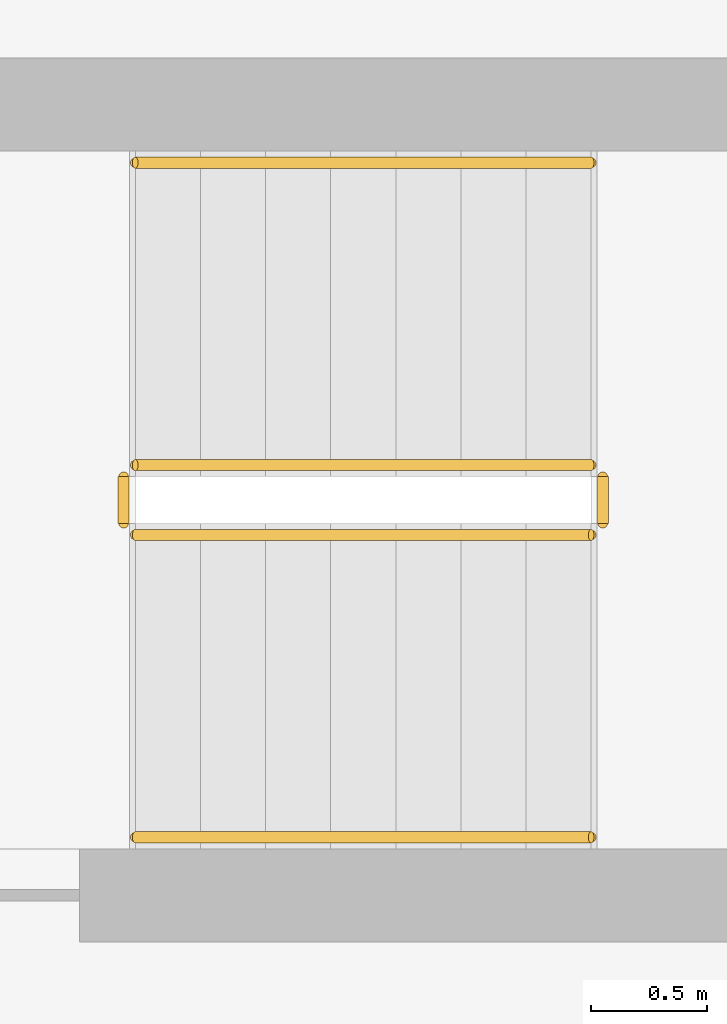
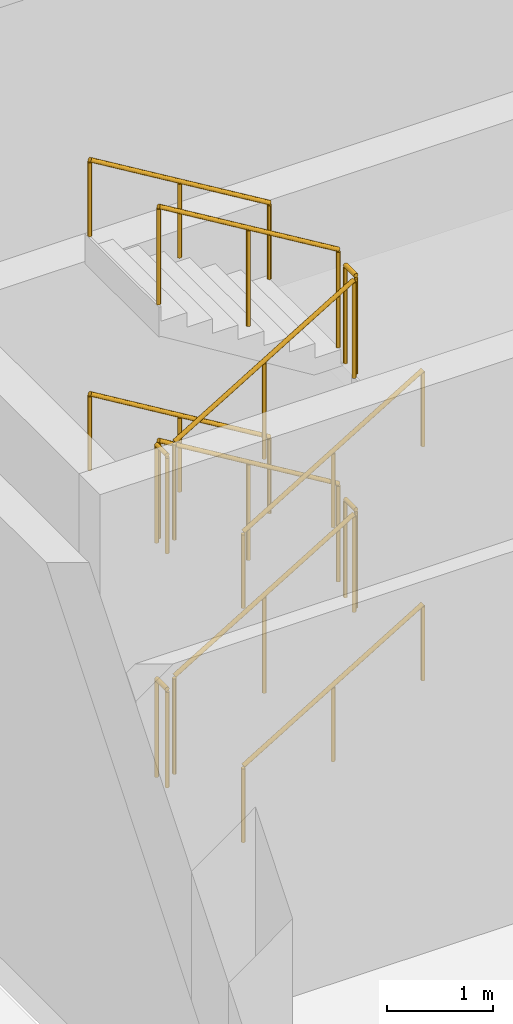
# One storey, part 34 of 36: 12 railings.
"""IFC4 building model written with IfcOpenShell, lengths in metres."""

from ifc_helpers import new_model, si_unit, direction, frame, origin, origin_2d, place, context, subcontext, project, spatial, circle, extrude, material, type_object, element, save


model = new_model("IFC4")

# Units and contexts
model_context = context("Model", 3, precision=1e-05, world=origin(), true_north=direction((0.0, 1.0)))
body_context = subcontext(model_context, "Body", "Model", "MODEL_VIEW")
ifc_project = project(units=[si_unit("LENGTHUNIT", "METRE"), si_unit("AREAUNIT", "SQUARE_METRE"), si_unit("VOLUMEUNIT", "CUBIC_METRE"), si_unit("PLANEANGLEUNIT", "RADIAN"), si_unit("MASSUNIT", "GRAM", prefix="KILO")], contexts=[model_context])

# Site, building, storey
site_placement = place(None, origin())
site = spatial("IfcSite", under=ifc_project, at=site_placement, CompositionType="ELEMENT")
building_placement = place(site_placement, origin())
building = spatial("IfcBuilding", under=site, at=building_placement, Name="Barlavira Tower and Art Museum", CompositionType="ELEMENT")
storey_placement = place(building_placement, frame((0.0, 0.0, 11.39990234375)))
storey = spatial("IfcBuildingStorey", under=building, at=storey_placement, Name="L02", CompositionType="ELEMENT", Elevation=11.39990234375)

# Railings
ifc_material = material(Name="Brushed stainless steel", Category="steel")
railing_type_1 = type_object("IfcRailingType", Name="Interior Void and Landing Guard Railing 1150", PredefinedType="GUARDRAIL", material=ifc_material)
railing_1_placement = place(storey_placement, frame((32.070068359375, 17.949951171875, 0.1689453125)))
element("IfcRailing", 1, at=railing_1_placement, inside=storey, type_object=railing_type_1, Name="L02 ST-M2 stair guard 1", PredefinedType="GUARDRAIL", context=body_context, shape_type="SweptSolid", body=[
    extrude(circle(Radius=0.02392578125, at=origin_2d()), frame((0.0, 0.0, 1.1259765625), z_axis=(0.856493463811, 0.0, 0.516157869696), x_axis=(0.0, 1.0, 0.0)), (0.0, 0.0, 1.0), 2.288330078125),
    extrude(circle(Radius=0.02099609375, at=origin_2d()), origin(), (0.0, 0.0, 1.0), 1.101806640625),
    extrude(circle(Radius=0.02099609375, at=origin_2d()), frame((0.97998046875, 0.0, 0.590576171875)), (0.0, 0.0, 1.0), 1.101806640625),
    extrude(circle(Radius=0.02099609375, at=origin_2d()), frame((1.9599609375, 0.0, 1.18115234375)), (0.0, 0.0, 1.0), 1.101806640625),
])
railing_2_placement = place(storey_placement, frame((34.080078125, 18.0, 1.35009765625)))
element("IfcRailing", 2, at=railing_2_placement, inside=storey, type_object=railing_type_1, Name="L02 ST-M2 stair guard 2", PredefinedType="GUARDRAIL", context=body_context, shape_type="SweptSolid", body=[
    extrude(circle(Radius=0.02392578125, at=origin_2d()), frame((0.0, 0.0, 1.1259765625), z_axis=(0.0, 1.0, 0.0), x_axis=(-1.0, 0.0, 0.0)), (0.0, 0.0, 1.0), 0.199951171875),
    extrude(circle(Radius=0.02099609375, at=origin_2d()), origin(), (0.0, 0.0, 1.0), 1.101806640625),
    extrude(circle(Radius=0.02099609375, at=origin_2d()), frame((0.0, 0.199951171875, 0.0)), (0.0, 0.0, 1.0), 1.101806640625),
])
railing_3_placement = place(storey_placement, frame((34.030029296875, 18.25, 1.518798828125)))
element("IfcRailing", 3, at=railing_3_placement, inside=storey, type_object=railing_type_1, Name="L02 ST-M2 stair guard 3", PredefinedType="GUARDRAIL", context=body_context, shape_type="SweptSolid", body=[
    extrude(circle(Radius=0.02392578125, at=origin_2d()), frame((0.0, 0.0, 1.1259765625), z_axis=(-0.856446297458, 0.0, 0.516236127728), x_axis=(0.0, -1.0, 0.0)), (0.0, 0.0, 1.0), 2.28857421875),
    extrude(circle(Radius=0.02099609375, at=origin_2d()), origin(), (0.0, 0.0, 1.0), 1.101806640625),
    extrude(circle(Radius=0.02099609375, at=origin_2d()), frame((-0.97998046875, 0.0, 0.5908203125)), (0.0, 0.0, 1.0), 1.101806640625),
    extrude(circle(Radius=0.02099609375, at=origin_2d()), frame((-1.9599609375, 0.0, 1.181396484375)), (0.0, 0.0, 1.0), 1.101806640625),
])
railing_4_placement = place(storey_placement, frame((32.02001953125, 18.0, 2.7001953125)))
element("IfcRailing", 4, at=railing_4_placement, inside=storey, type_object=railing_type_1, Name="L02 ST-M2 stair guard 4", PredefinedType="GUARDRAIL", context=body_context, shape_type="SweptSolid", body=[
    extrude(circle(Radius=0.02392578125, at=origin_2d()), frame((0.0, 0.0, 1.1259765625), z_axis=(0.0, 1.0, 0.0), x_axis=(-1.0, 0.0, 0.0)), (0.0, 0.0, 1.0), 0.199951171875),
    extrude(circle(Radius=0.02099609375, at=origin_2d()), origin(), (0.0, 0.0, 1.0), 1.101806640625),
    extrude(circle(Radius=0.02099609375, at=origin_2d()), frame((0.0, 0.199951171875, 0.0)), (0.0, 0.0, 1.0), 1.101806640625),
])
railing_5_placement = place(storey_placement, frame((32.070068359375, 17.949951171875, 2.868896484375)))
element("IfcRailing", 5, at=railing_5_placement, inside=storey, type_object=railing_type_1, Name="L02 ST-M2 stair guard 5", PredefinedType="GUARDRAIL", context=body_context, shape_type="SweptSolid", body=[
    extrude(circle(Radius=0.02392578125, at=origin_2d()), frame((0.0, 0.0, 1.1259765625), z_axis=(0.856493463811, 0.0, 0.516157869696), x_axis=(0.0, 1.0, 0.0)), (0.0, 0.0, 1.0), 2.288330078125),
    extrude(circle(Radius=0.02099609375, at=origin_2d()), origin(), (0.0, 0.0, 1.0), 1.101806640625),
    extrude(circle(Radius=0.02099609375, at=origin_2d()), frame((0.97998046875, 0.0, 0.590576171875)), (0.0, 0.0, 1.0), 1.101806640625),
    extrude(circle(Radius=0.02099609375, at=origin_2d()), frame((1.9599609375, 0.0, 1.18115234375)), (0.0, 0.0, 1.0), 1.101806640625),
])
railing_6_placement = place(storey_placement, frame((34.080078125, 18.0, 4.050048828125)))
element("IfcRailing", 6, at=railing_6_placement, inside=storey, type_object=railing_type_1, Name="L02 ST-M2 stair guard 6", PredefinedType="GUARDRAIL", context=body_context, shape_type="SweptSolid", body=[
    extrude(circle(Radius=0.02392578125, at=origin_2d()), frame((0.0, 0.0, 1.1259765625), z_axis=(0.0, 1.0, 0.0), x_axis=(-1.0, 0.0, 0.0)), (0.0, 0.0, 1.0), 0.199951171875),
    extrude(circle(Radius=0.02099609375, at=origin_2d()), origin(), (0.0, 0.0, 1.0), 1.101806640625),
    extrude(circle(Radius=0.02099609375, at=origin_2d()), frame((0.0, 0.199951171875, 0.0)), (0.0, 0.0, 1.0), 1.101806640625),
])
railing_7_placement = place(storey_placement, frame((34.030029296875, 18.25, 4.21875)))
element("IfcRailing", 7, at=railing_7_placement, inside=storey, type_object=railing_type_1, Name="L02 ST-M2 stair guard 7", PredefinedType="GUARDRAIL", context=body_context, shape_type="SweptSolid", body=[
    extrude(circle(Radius=0.02392578125, at=origin_2d()), frame((0.0, 0.0, 1.1259765625), z_axis=(-0.856446297458, 0.0, 0.516236127728), x_axis=(0.0, -1.0, 0.0)), (0.0, 0.0, 1.0), 2.28857421875),
    extrude(circle(Radius=0.02099609375, at=origin_2d()), origin(), (0.0, 0.0, 1.0), 1.101806640625),
    extrude(circle(Radius=0.02099609375, at=origin_2d()), frame((-0.97998046875, 0.0, 0.5908203125)), (0.0, 0.0, 1.0), 1.101806640625),
    extrude(circle(Radius=0.02099609375, at=origin_2d()), frame((-1.9599609375, 0.0, 1.181396484375)), (0.0, 0.0, 1.0), 1.101806640625),
])
railing_8_placement = place(storey_placement, frame((32.02001953125, 18.0, 0.0)))
element("IfcRailing", 8, at=railing_8_placement, inside=storey, type_object=railing_type_1, Name="L02 ST-M2 stair guard 8", PredefinedType="GUARDRAIL", context=body_context, shape_type="SweptSolid", body=[
    extrude(circle(Radius=0.02392578125, at=origin_2d()), frame((0.0, 0.0, 1.1259765625), z_axis=(0.0, 1.0, 0.0), x_axis=(-1.0, 0.0, 0.0)), (0.0, 0.0, 1.0), 0.199951171875),
    extrude(circle(Radius=0.02099609375, at=origin_2d()), origin(), (0.0, 0.0, 1.0), 1.101806640625),
    extrude(circle(Radius=0.02099609375, at=origin_2d()), frame((0.0, 0.199951171875, 0.0)), (0.0, 0.0, 1.0), 1.101806640625),
])
railing_type_2 = type_object("IfcRailingType", Name="Stair Pitch Tubular Steel Handrail 920", PredefinedType="HANDRAIL", material=ifc_material)
railing_9_placement = place(storey_placement, frame((32.070068359375, 16.64990234375, 0.1689453125)))
element("IfcRailing", 9, at=railing_9_placement, inside=storey, type_object=railing_type_2, Name="L02 ST-M2 stair handrail 1", PredefinedType="HANDRAIL", context=body_context, shape_type="SweptSolid", body=[
    extrude(circle(Radius=0.02392578125, at=origin_2d()), frame((0.0, 0.0, 0.8759765625), z_axis=(0.856493463811, 0.0, 0.516157869696), x_axis=(0.0, 1.0, 0.0)), (0.0, 0.0, 1.0), 2.288330078125),
    extrude(circle(Radius=0.02099609375, at=origin_2d()), origin(), (0.0, 0.0, 1.0), 0.851806640625),
    extrude(circle(Radius=0.02099609375, at=origin_2d()), frame((0.97998046875, 0.0, 0.590576171875)), (0.0, 0.0, 1.0), 0.851806640625),
    extrude(circle(Radius=0.02099609375, at=origin_2d()), frame((1.9599609375, 0.0, 1.18115234375)), (0.0, 0.0, 1.0), 0.851806640625),
])
railing_10_placement = place(storey_placement, frame((34.030029296875, 19.550048828125, 1.518798828125)))
element("IfcRailing", 10, at=railing_10_placement, inside=storey, type_object=railing_type_2, Name="L02 ST-M2 stair handrail 2", PredefinedType="HANDRAIL", context=body_context, shape_type="SweptSolid", body=[
    extrude(circle(Radius=0.02392578125, at=origin_2d()), frame((0.0, 0.0, 0.8759765625), z_axis=(-0.856446297458, 0.0, 0.516236127728), x_axis=(0.0, -1.0, 0.0)), (0.0, 0.0, 1.0), 2.28857421875),
    extrude(circle(Radius=0.02099609375, at=origin_2d()), origin(), (0.0, 0.0, 1.0), 0.851806640625),
    extrude(circle(Radius=0.02099609375, at=origin_2d()), frame((-0.97998046875, 0.0, 0.5908203125)), (0.0, 0.0, 1.0), 0.851806640625),
    extrude(circle(Radius=0.02099609375, at=origin_2d()), frame((-1.9599609375, 0.0, 1.181396484375)), (0.0, 0.0, 1.0), 0.851806640625),
])
railing_11_placement = place(storey_placement, frame((32.070068359375, 16.64990234375, 2.868896484375)))
element("IfcRailing", 11, at=railing_11_placement, inside=storey, type_object=railing_type_2, Name="L02 ST-M2 stair handrail 3", PredefinedType="HANDRAIL", context=body_context, shape_type="SweptSolid", body=[
    extrude(circle(Radius=0.02392578125, at=origin_2d()), frame((0.0, 0.0, 0.8759765625), z_axis=(0.856493463811, 0.0, 0.516157869696), x_axis=(0.0, 1.0, 0.0)), (0.0, 0.0, 1.0), 2.288330078125),
    extrude(circle(Radius=0.02099609375, at=origin_2d()), origin(), (0.0, 0.0, 1.0), 0.851806640625),
    extrude(circle(Radius=0.02099609375, at=origin_2d()), frame((0.97998046875, 0.0, 0.590576171875)), (0.0, 0.0, 1.0), 0.851806640625),
    extrude(circle(Radius=0.02099609375, at=origin_2d()), frame((1.9599609375, 0.0, 1.18115234375)), (0.0, 0.0, 1.0), 0.851806640625),
])
railing_12_placement = place(storey_placement, frame((34.030029296875, 19.550048828125, 4.21875)))
element("IfcRailing", 12, at=railing_12_placement, inside=storey, type_object=railing_type_2, Name="L02 ST-M2 stair handrail 4", PredefinedType="HANDRAIL", context=body_context, shape_type="SweptSolid", body=[
    extrude(circle(Radius=0.02392578125, at=origin_2d()), frame((0.0, 0.0, 0.8759765625), z_axis=(-0.856446297458, 0.0, 0.516236127728), x_axis=(0.0, -1.0, 0.0)), (0.0, 0.0, 1.0), 2.28857421875),
    extrude(circle(Radius=0.02099609375, at=origin_2d()), origin(), (0.0, 0.0, 1.0), 0.851806640625),
    extrude(circle(Radius=0.02099609375, at=origin_2d()), frame((-0.97998046875, 0.0, 0.5908203125)), (0.0, 0.0, 1.0), 0.851806640625),
    extrude(circle(Radius=0.02099609375, at=origin_2d()), frame((-1.9599609375, 0.0, 1.181396484375)), (0.0, 0.0, 1.0), 0.851806640625),
])

save(model, "model.ifc")
